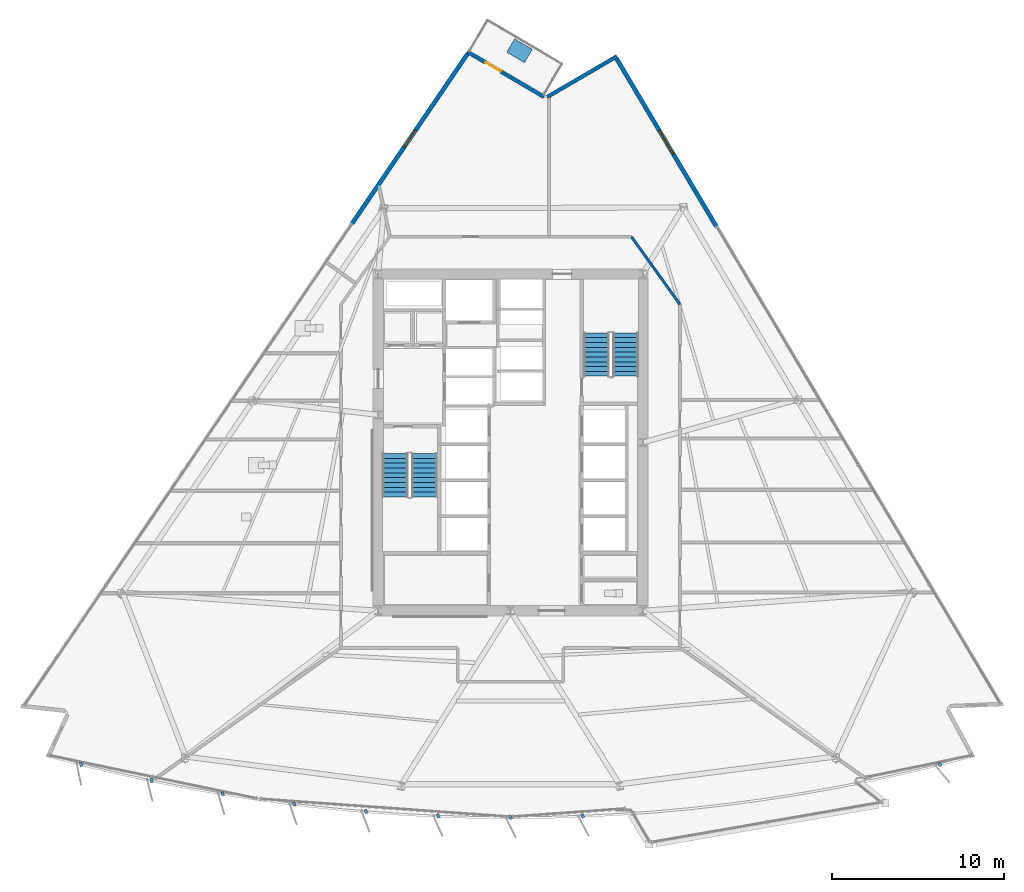
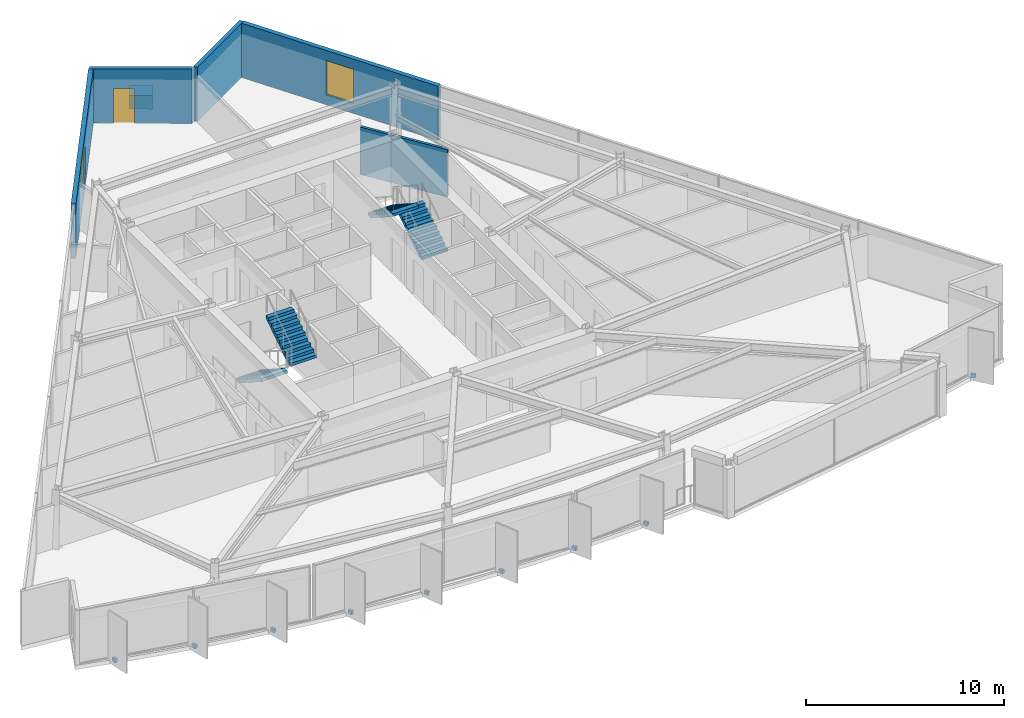
# One storey, part 10 of 15: 10 discrete accessories, 5 walls, 4 stair flights, 2 windows, 1 door, 3 openings, 2 elements without a shape of their own.
"""IFC4 building model written with IfcOpenShell, lengths in metres."""

from ifc_helpers import new_model, si_unit, direction, frame, frame_2d, origin, origin_2d, place, context, subcontext, project, spatial, polyline, rectangle, outline, extrude, material, layer, layer_set, type_object, element, fill, aggregate, save


model = new_model("IFC4")

# Units and contexts
model_context = context("Model", 3, precision=1e-05, world=origin(), true_north=direction((0.0, 1.0)))
body_context = subcontext(model_context, "Body", "Model", "MODEL_VIEW")
ifc_project = project(units=[si_unit("LENGTHUNIT", "METRE"), si_unit("AREAUNIT", "SQUARE_METRE"), si_unit("VOLUMEUNIT", "CUBIC_METRE"), si_unit("PLANEANGLEUNIT", "RADIAN"), si_unit("MASSUNIT", "GRAM", prefix="KILO")], contexts=[model_context])

# Site, building, storey
site_placement = place(None, origin())
site = spatial("IfcSite", under=ifc_project, at=site_placement, CompositionType="ELEMENT")
building_placement = place(site_placement, origin())
building = spatial("IfcBuilding", under=site, at=building_placement, Name="Savorim Split Tower", CompositionType="ELEMENT")
storey_placement = place(building_placement, frame((0.0, 0.0, 96.89990234375)))
storey = spatial("IfcBuildingStorey", under=building, at=storey_placement, Name="L25", CompositionType="ELEMENT", Elevation=96.89990234375)

# Wall
ifc_material_1 = material(Name="Precast concrete C40/50", Category="concrete")
ifc_layer_1 = layer(ifc_material_1, 0.219970703125)
ifc_layer_set_1 = layer_set([ifc_layer_1], Name="WAL-EXT-CRN220")
wall_type_1 = type_object("IfcWallType", Name="WAL-EXT-CRN220", PredefinedType="SOLIDWALL", material=ifc_layer_set_1)
wall_1_placement = place(storey_placement, frame((2.141845703125, 20.502197265625, 0.0), z_axis=(0.0, 0.0, 1.0), x_axis=(0.863981097269, 0.503524243272, 0.0)))
element("IfcWall", 1, at=wall_1_placement, inside=storey, type_object=wall_type_1, Name="L25 Notched Corner Facade Wall NE1", PredefinedType="SOLIDWALL", context=body_context, shape_type="SweptSolid", body=[
    extrude(rectangle(XDim=4.684326171875, YDim=0.219970703125, at=frame_2d((2.34228515625, 0.0))), origin(), (0.0, 0.0, 1.0), 3.35009765625),
])

# Wall, opening, door
wall_2_placement = place(storey_placement, frame((-2.509521484375, 23.12451171875, 0.0), z_axis=(0.0, 0.0, 1.0), x_axis=(0.862103972413, -0.506731428618, 0.0)))
wall_2 = element("IfcWall", 2, at=wall_2_placement, inside=storey, type_object=wall_type_1, Name="L25 Notched Corner Facade Wall N", PredefinedType="SOLIDWALL", context=body_context, shape_type="SweptSolid", body=[
    extrude(rectangle(XDim=5.174560546875, YDim=0.219970703125, at=frame_2d((2.58740234375, 0.0))), origin(), (0.0, 0.0, 1.0), 3.35009765625),
])
opening_1_placement = place(wall_2_placement, frame((1.21240234375, 0.0, 0.0)))
opening_1 = element("IfcOpeningElement", 3, at=opening_1_placement, cuts=wall_2, Name="Opening DB-01", PredefinedType="OPENING", context=body_context, shape_type="SweptSolid", body=[
    extrude(rectangle(XDim=1.050048828125, YDim=2.14990234375, at=frame_2d((0.52490234375, 1.074951171875))), frame((0.0, 0.119873046875, 0.0), z_axis=(0.0, -1.0, 0.0), x_axis=(1.0, 0.0, 0.0)), (0.0, 0.0, 1.0), 0.239990234375),
])
ifc_material_2 = material(Name="Charcoal Anodised Aluminium", Category="aluminium")
door_type = type_object("IfcDoorType", Name="DOR-BAL-1050", OperationType="NOTDEFINED", PredefinedType="DOOR", material=ifc_material_2)
door_placement = place(opening_1_placement, origin())
door = element("IfcDoor", 4, at=door_placement, inside=storey, type_object=door_type, Name="DOR-L25-TBAL-N - L25 Planted Tree Balcony Door N", OperationType="SINGLE_SWING_RIGHT", OverallHeight=2.14990234375, OverallWidth=1.050048828125, PredefinedType="DOOR", context=body_context, shape_type="SweptSolid", body=[
    extrude(rectangle(XDim=1.050048828125, YDim=2.14990234375, at=frame_2d((0.52490234375, 1.074951171875))), frame((0.0, 0.02490234375, 0.0), z_axis=(0.0, -1.0, 0.0), x_axis=(1.0, 0.0, 0.0)), (0.0, 0.0, 1.0), 0.050048828125),
])
fill(opening_1, door)

# Wall, opening, window
ifc_layer_2 = layer(ifc_material_1, 0.25)
ifc_layer_set_2 = layer_set([ifc_layer_2], Name="WAL-EXT-SPN250")
wall_type_2 = type_object("IfcWallType", Name="WAL-EXT-SPN250", PredefinedType="SOLIDWALL", material=ifc_layer_set_2)
wall_3_placement = place(storey_placement, frame((6.17236328125, 22.734130859375, 0.0), z_axis=(0.0, 0.0, 1.0), x_axis=(0.511105869751, -0.859517765905, 0.0)))
wall_3 = element("IfcWall", 5, at=wall_3_placement, inside=storey, type_object=wall_type_2, Name="L25 East Operable Window Pier", PredefinedType="SOLIDWALL", context=body_context, shape_type="SweptSolid", body=[
    extrude(rectangle(XDim=11.356689453125, YDim=0.25, at=frame_2d((5.67822265625, 0.0))), origin(), (0.0, 0.0, 1.0), 3.35009765625),
])
opening_2_placement = place(wall_3_placement, frame((4.87841796875, 0.0, 0.6201171875)))
opening_2 = element("IfcOpeningElement", 6, at=opening_2_placement, cuts=wall_3, Name="Opening WN-05", PredefinedType="OPENING", context=body_context, shape_type="SweptSolid", body=[
    extrude(rectangle(XDim=1.60009765625, YDim=2.10009765625, at=frame_2d((0.800048828125, 1.050048828125))), frame((0.0, 0.135009765625, 0.0), z_axis=(0.0, -1.0, 0.0), x_axis=(1.0, 0.0, 0.0)), (0.0, 0.0, 1.0), 0.27001953125),
])
ifc_material_3 = material(Name="Low-E Operable Double Glazing", Category="glass")
window_type_1 = type_object("IfcWindowType", Name="WIN-TWR-1600x2100", PartitioningType="DOUBLE_PANEL_VERTICAL", PredefinedType="WINDOW", material=ifc_material_3)
window_1_placement = place(opening_2_placement, origin())
window_1 = element("IfcWindow", 7, at=window_1_placement, inside=storey, type_object=window_type_1, Name="L25 East Operable Ventilation Window", OverallHeight=2.10009765625, OverallWidth=1.60009765625, PartitioningType="SINGLE_PANEL", PredefinedType="WINDOW", context=body_context, shape_type="SweptSolid", body=[
    extrude(rectangle(XDim=1.60009765625, YDim=2.10009765625, at=frame_2d((0.800048828125, 1.050048828125))), frame((0.0, 0.030029296875, 0.0), z_axis=(0.0, -1.0, 0.0), x_axis=(1.0, 0.0, 0.0)), (0.0, 0.0, 1.0), 0.06005859375),
])
fill(opening_2, window_1)

wall_4_placement = place(storey_placement, frame((-9.21728515625, 13.135986328125, 0.0), z_axis=(0.0, 0.0, 1.0), x_axis=(0.562468998305, 0.826818375428, 0.0)))
wall_4 = element("IfcWall", 8, at=wall_4_placement, inside=storey, type_object=wall_type_2, Name="L25 West Operable Window Pier", PredefinedType="SOLIDWALL", context=body_context, shape_type="SweptSolid", body=[
    extrude(rectangle(XDim=11.9287109375, YDim=0.25, at=frame_2d((5.96435546875, 0.0))), origin(), (0.0, 0.0, 1.0), 3.35009765625),
])
opening_3_placement = place(wall_4_placement, frame((5.3642578125, 0.0, 0.6201171875)))
opening_3 = element("IfcOpeningElement", 9, at=opening_3_placement, cuts=wall_4, Name="Opening WN-08", PredefinedType="OPENING", context=body_context, shape_type="SweptSolid", body=[
    extrude(rectangle(XDim=1.199951171875, YDim=1.800048828125, at=frame_2d((0.60009765625, 0.89990234375))), frame((0.0, 0.135009765625, 0.0), z_axis=(0.0, -1.0, 0.0), x_axis=(1.0, 0.0, 0.0)), (0.0, 0.0, 1.0), 0.27001953125),
])
window_type_2 = type_object("IfcWindowType", Name="WIN-TWR-1200x1800", PartitioningType="SINGLE_PANEL", PredefinedType="WINDOW", material=ifc_material_3)
window_2_placement = place(opening_3_placement, origin())
window_2 = element("IfcWindow", 10, at=window_2_placement, inside=storey, type_object=window_type_2, Name="L25 West Operable Ventilation Window", OverallHeight=1.800048828125, OverallWidth=1.199951171875, PartitioningType="SINGLE_PANEL", PredefinedType="WINDOW", context=body_context, shape_type="SweptSolid", body=[
    extrude(rectangle(XDim=1.199951171875, YDim=1.800048828125, at=frame_2d((0.60009765625, 0.89990234375))), frame((0.0, 0.030029296875, 0.0), z_axis=(0.0, -1.0, 0.0), x_axis=(1.0, 0.0, 0.0)), (0.0, 0.0, 1.0), 0.06005859375),
])
fill(opening_3, window_2)

# Wall
ifc_material_4 = material(Name="Acoustic Gypsum Partition Board")
ifc_layer_3 = layer(ifc_material_4, 0.14990234375)
ifc_layer_set_3 = layer_set([ifc_layer_3], Name="WAL-PAR-150")
wall_type_3 = type_object("IfcWallType", Name="WAL-PAR-150", PredefinedType="PARTITIONING", material=ifc_layer_set_3)
wall_5_placement = place(storey_placement, frame((7.041015625, 12.360107421875, 0.0), z_axis=(0.0, 0.0, 1.0), x_axis=(0.582449511476, -0.812866881218, 0.0)))
element("IfcWall", 11, at=wall_5_placement, inside=storey, type_object=wall_type_3, Name="L25 Partition W-L25-COR-04", PredefinedType="PARTITIONING", context=body_context, shape_type="SweptSolid", body=[
    extrude(rectangle(XDim=4.840087890625, YDim=0.14990234375, at=frame_2d((2.419921875, 0.0))), origin(), (0.0, 0.0, 1.0), 2.925048828125),
])

# Stair, stair flights
ifc_material_5 = material(Name="Concrete C50/60", Category="concrete")
stair_type = type_object("IfcStairType", Name="STR-DOG-3600", PredefinedType="HALF_TURN_STAIR", material=ifc_material_5)
stair_1_placement = place(storey_placement, origin())
stair_1 = element("IfcStair", 12, at=stair_1_placement, inside=storey, type_object=stair_type, Name="L25 Core Protected Exit Stair ST-1", PredefinedType="HALF_TURN_STAIR")
stair_flight_type = type_object("IfcStairFlightType", Name="SFL-DOG-3600", PredefinedType="STRAIGHT", material=ifc_material_5)
stair_flight_1_placement = place(storey_placement, frame((-6.699951171875, -0.25, 0.0), z_axis=(0.0, 0.0, 1.0), x_axis=(0.0, -1.0, 0.0)))
stair_flight_1 = element("IfcStairFlight", 13, at=stair_flight_1_placement, type_object=stair_flight_type, Name="ST-1 flight 1", NumberOfRisers=10, NumberOfTreads=9, PredefinedType="STRAIGHT", RiserHeight=0.18, TreadLength=0.28, context=body_context, shape_type="SweptSolid", body=[
    extrude(outline(polyline([(0.0, 0.0), (0.0, 0.179931640625), (0.280029296875, 0.179931640625), (0.280029296875, 0.360107421875), (0.56005859375, 0.360107421875), (0.56005859375, 0.5400390625), (0.840087890625, 0.5400390625), (0.840087890625, 0.719970703125), (1.1201171875, 0.719970703125), (1.1201171875, 0.89990234375), (1.39990234375, 0.89990234375), (1.39990234375, 1.080078125), (1.679931640625, 1.080078125), (1.679931640625, 1.260009765625), (1.9599609375, 1.260009765625), (1.9599609375, 1.43994140625), (2.239990234375, 1.43994140625), (2.239990234375, 1.6201171875), (2.52001953125, 1.6201171875), (2.52001953125, 1.800048828125), (2.52001953125, 1.44189453125), (0.277099609375, 0.0), (0.0, 0.0)])), frame((0.0, 0.75, 0.0), z_axis=(0.0, -1.0, 0.0), x_axis=(1.0, 0.0, 0.0)), (0.0, 0.0, 1.0), 1.5),
])
stair_flight_2_placement = place(storey_placement, frame((-5.0, -2.77001953125, 1.800048828125), z_axis=(0.0, 0.0, 1.0), x_axis=(0.0, 1.0, 0.0)))
stair_flight_2 = element("IfcStairFlight", 14, at=stair_flight_2_placement, type_object=stair_flight_type, Name="ST-1 flight 2", NumberOfRisers=10, NumberOfTreads=9, PredefinedType="STRAIGHT", RiserHeight=0.18, TreadLength=0.28, context=body_context, shape_type="SweptSolid", body=[
    extrude(outline(polyline([(0.0, 0.0), (0.0, 0.179931640625), (0.280029296875, 0.179931640625), (0.280029296875, 0.360107421875), (0.56005859375, 0.360107421875), (0.56005859375, 0.5400390625), (0.840087890625, 0.5400390625), (0.840087890625, 0.719970703125), (1.1201171875, 0.719970703125), (1.1201171875, 0.89990234375), (1.39990234375, 0.89990234375), (1.39990234375, 1.080078125), (1.679931640625, 1.080078125), (1.679931640625, 1.260009765625), (1.9599609375, 1.260009765625), (1.9599609375, 1.43994140625), (2.239990234375, 1.43994140625), (2.239990234375, 1.6201171875), (2.52001953125, 1.6201171875), (2.52001953125, 1.800048828125), (2.52001953125, 1.44189453125), (0.277099609375, 0.0), (0.0, 0.0)])), frame((0.0, 0.75, 0.0), z_axis=(0.0, -1.0, 0.0), x_axis=(1.0, 0.0, 0.0)), (0.0, 0.0, 1.0), 1.5),
])
aggregate(stair_1, [stair_flight_1, stair_flight_2])

stair_2_placement = place(storey_placement, origin())
stair_2 = element("IfcStair", 15, at=stair_2_placement, inside=storey, type_object=stair_type, Name="L25 Core Protected Exit Stair ST-2", PredefinedType="HALF_TURN_STAIR")
stair_flight_3_placement = place(storey_placement, frame((6.699951171875, 4.25, 0.0), z_axis=(0.0, 0.0, 1.0), x_axis=(0.0, 1.0, 0.0)))
stair_flight_3 = element("IfcStairFlight", 16, at=stair_flight_3_placement, type_object=stair_flight_type, Name="ST-2 flight 1", NumberOfRisers=10, NumberOfTreads=9, PredefinedType="STRAIGHT", RiserHeight=0.18, TreadLength=0.28, context=body_context, shape_type="SweptSolid", body=[
    extrude(outline(polyline([(0.0, 0.0), (0.0, 0.179931640625), (0.280029296875, 0.179931640625), (0.280029296875, 0.360107421875), (0.56005859375, 0.360107421875), (0.56005859375, 0.5400390625), (0.840087890625, 0.5400390625), (0.840087890625, 0.719970703125), (1.1201171875, 0.719970703125), (1.1201171875, 0.89990234375), (1.39990234375, 0.89990234375), (1.39990234375, 1.080078125), (1.679931640625, 1.080078125), (1.679931640625, 1.260009765625), (1.9599609375, 1.260009765625), (1.9599609375, 1.43994140625), (2.239990234375, 1.43994140625), (2.239990234375, 1.6201171875), (2.52001953125, 1.6201171875), (2.52001953125, 1.800048828125), (2.52001953125, 1.44189453125), (0.277099609375, 0.0), (0.0, 0.0)])), frame((0.0, 0.75, 0.0), z_axis=(0.0, -1.0, 0.0), x_axis=(1.0, 0.0, 0.0)), (0.0, 0.0, 1.0), 1.5),
])
stair_flight_4_placement = place(storey_placement, frame((5.0, 6.77001953125, 1.800048828125), z_axis=(0.0, 0.0, 1.0), x_axis=(0.0, -1.0, 0.0)))
stair_flight_4 = element("IfcStairFlight", 17, at=stair_flight_4_placement, type_object=stair_flight_type, Name="ST-2 flight 2", NumberOfRisers=10, NumberOfTreads=9, PredefinedType="STRAIGHT", RiserHeight=0.18, TreadLength=0.28, context=body_context, shape_type="SweptSolid", body=[
    extrude(outline(polyline([(0.0, 0.0), (0.0, 0.179931640625), (0.280029296875, 0.179931640625), (0.280029296875, 0.360107421875), (0.56005859375, 0.360107421875), (0.56005859375, 0.5400390625), (0.840087890625, 0.5400390625), (0.840087890625, 0.719970703125), (1.1201171875, 0.719970703125), (1.1201171875, 0.89990234375), (1.39990234375, 0.89990234375), (1.39990234375, 1.080078125), (1.679931640625, 1.080078125), (1.679931640625, 1.260009765625), (1.9599609375, 1.260009765625), (1.9599609375, 1.43994140625), (2.239990234375, 1.43994140625), (2.239990234375, 1.6201171875), (2.52001953125, 1.6201171875), (2.52001953125, 1.800048828125), (2.52001953125, 1.44189453125), (0.277099609375, 0.0), (0.0, 0.0)])), frame((0.0, 0.75, 0.0), z_axis=(0.0, -1.0, 0.0), x_axis=(1.0, 0.0, 0.0)), (0.0, 0.0, 1.0), 1.5),
])
aggregate(stair_2, [stair_flight_3, stair_flight_4])

# Discrete accessories
ifc_material_6 = material(Name="Steel S355", Category="steel")
discrete_accessory_type_1 = type_object("IfcDiscreteAccessoryType", Name="ACC-BRK-FIN", PredefinedType="BRACKET", material=ifc_material_6)
for number, where, z_axis, x_axis, name in (
    (18, (-24.9814453125, -18.338134765625, -0.18994140625), (0.0, 0.0, 1.0), (0.206721626106, -0.978399800337, 0.0), "L25 Fin Slab-Edge Cleat Bracket 01"),
    (19, (-20.882080078125, -19.276611328125, -0.18994140625), (0.0, 0.0, 1.0), (0.246581250663, -0.969122121727, 0.0), "L25 Fin Slab-Edge Cleat Bracket 02"),
    (20, (-16.747802734375, -20.046875, -0.18994140625), (0.0, 0.0, 1.0), (0.286026212504, -0.958221793616, 0.0), "L25 Fin Slab-Edge Cleat Bracket 03"),
    (21, (-12.58544921875, -20.647216796875, -0.18994140625), (0.0, 0.0, 1.0), (0.324993810493, -0.945716143005, 0.0), "L25 Fin Slab-Edge Cleat Bracket 04"),
    (22, (-8.402099609375, -21.07666015625, -0.18994140625), (0.0, 0.0, 1.0), (0.363415461732, -0.931627179817, 0.0), "L25 Fin Slab-Edge Cleat Bracket 05"),
    (23, (-4.20458984375, -21.334716796875, -0.18994140625), (0.0, 0.0, 1.0), (0.401230091723, -0.915977299662, 0.0), "L25 Fin Slab-Edge Cleat Bracket 06"),
    (24, (0.0, -21.4208984375, -0.18994140625), (0.0, 0.0, 1.0), (0.438371146789, -0.898794046299, 0.0), "L25 Fin Slab-Edge Cleat Bracket 07"),
    (25, (4.20458984375, -21.334716796875, -0.18994140625), (0.0, 0.0, 1.0), (0.474778051978, -0.880105562623, 0.0), "L25 Fin Slab-Edge Cleat Bracket 08"),
    (26, (24.9814453125, -18.338134765625, -0.18994140625), (0.0, 0.0, 1.0), (0.643719022682, -0.765261928909, 0.0), "L25 Fin Slab-Edge Cleat Bracket 13"),
):
    element("IfcDiscreteAccessory", number, at=place(storey_placement, frame(where, z_axis=z_axis, x_axis=x_axis)), inside=storey, type_object=discrete_accessory_type_1, Name=name, PredefinedType="BRACKET", context=body_context, shape_type="SweptSolid", body=[
        extrude(rectangle(XDim=0.239990234375, YDim=0.159912109375, at=origin_2d()), origin(), (0.0, 0.0, 1.0), 0.219970703125),
    ])
ifc_material_7 = material(Name="Architectural Precast Planter Concrete C40/50", Category="concrete")
discrete_accessory_type_2 = type_object("IfcDiscreteAccessoryType", Name="ACC-PLN-TREE", PredefinedType="USERDEFINED", material=ifc_material_7)
discrete_accessory_placement = place(storey_placement, frame((0.526611328125, 23.18408203125, 0.0), z_axis=(0.0, 0.0, 1.0), x_axis=(-0.862122155817, 0.506700491858, 0.0)))
element("IfcDiscreteAccessory", 27, at=discrete_accessory_placement, inside=storey, type_object=discrete_accessory_type_2, Name="L25 Balcony Precast Tree Planter N", ObjectType="PLANTER", PredefinedType="USERDEFINED", context=body_context, shape_type="SweptSolid", body=[
    extrude(rectangle(XDim=1.199951171875, YDim=0.89990234375, at=origin_2d()), origin(), (0.0, 0.0, 1.0), 0.85009765625),
])

save(model, "model.ifc")
